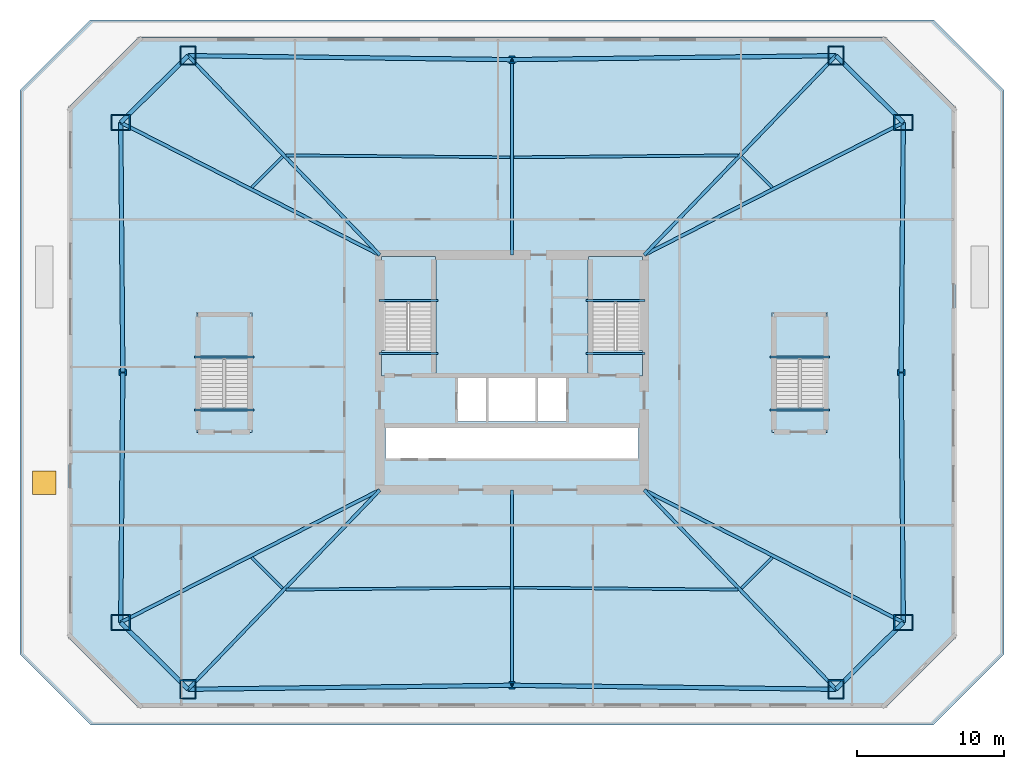
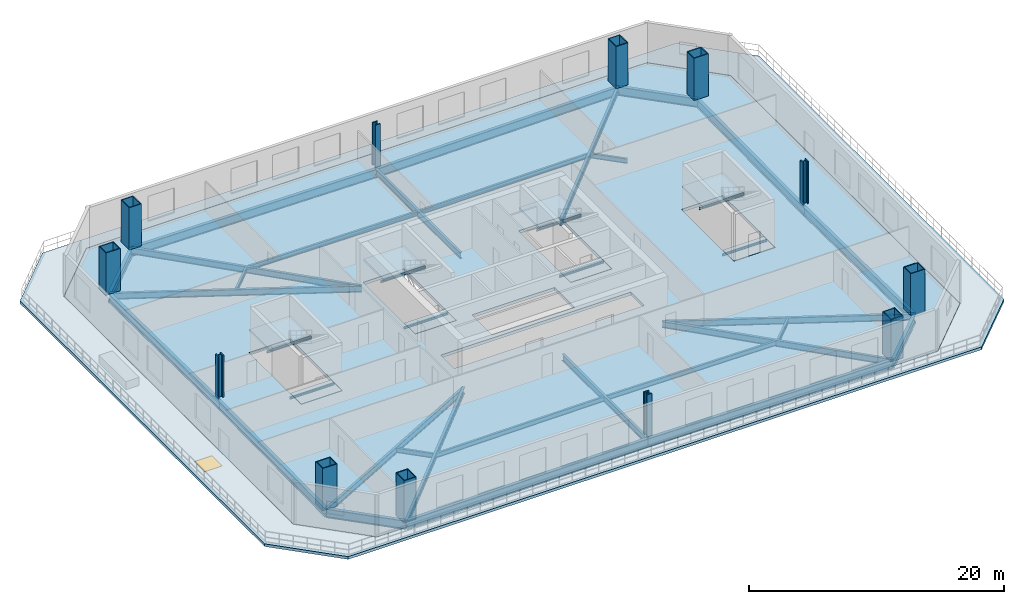
# One storey, part 1 of 8: 38 beams, 12 columns, 10 slabs, 1 window, 1 opening, 4 elements without a shape of their own.
"""IFC4 building model written with IfcOpenShell, lengths in metres."""

import ifcopenshell
import ifcopenshell.guid

model = None  # the IFC model being written
_history = None  # IfcOwnerHistory: only IFC2X3 demands one
_inside = {}  # id of a spatial element -> (the spatial element, [elements in it])
_under = {}  # id of a project, library or spatial element -> (it, [spatial elements below it])
_declared = {}  # id of a project -> (the project, [libraries it declares])
_typed = {}  # id of a type object -> (the type object, [elements of that type])
_made_of = {}  # id of a material, layer set ... -> (it, [elements and type objects made of it])


def new_model(schema):
    """Start an empty IFC model of exactly this schema.

    Asked for "IFC4X3", IfcOpenShell would pick the latest addendum, in which some entities
    have other attributes; the version numbers below select the first issue.
    IFC2X3 requires an IfcOwnerHistory on every rooted entity: one is made here for all.
    """
    global model, _history
    if schema == "IFC4X3":
        model = ifcopenshell.file(schema_version=(4, 3, 0, 0))
    else:
        model = ifcopenshell.file(schema=schema)
    _inside.clear()
    _under.clear()
    _declared.clear()
    _typed.clear()
    _made_of.clear()
    _history = None
    if model.schema == "IFC2X3":
        org = make("IfcOrganization", Name="unknown")
        user = make(
            "IfcPersonAndOrganization",
            ThePerson=make("IfcPerson", FamilyName="unknown"),
            TheOrganization=org,
        )
        app = make(
            "IfcApplication",
            ApplicationDeveloper=org,
            Version="unknown",
            ApplicationFullName="unknown",
            ApplicationIdentifier="unknown",
        )
        _history = make(
            "IfcOwnerHistory",
            OwningUser=user,
            OwningApplication=app,
            ChangeAction="ADDED",
            CreationDate=0,
        )
    return model


def make(cls, **values):
    """One entity of the class cls with the attributes given. An attribute that is None is left unset."""
    return model.create_entity(
        cls, **{name: value for name, value in values.items() if value is not None}
    )


def rooted(cls, **values):
    """An entity with a GlobalId (a new one), such as an element, a storey or a relation."""
    return make(cls, GlobalId=ifcopenshell.guid.new(), OwnerHistory=_history, **values)


def si_unit(unit_type, name, prefix=None):
    """IfcSIUnit, for example si_unit("LENGTHUNIT", "METRE", prefix="MILLI")."""
    return make("IfcSIUnit", UnitType=unit_type, Prefix=prefix, Name=name)


def assignment(units):
    """IfcUnitAssignment: the units of a project."""
    return None if units is None else make("IfcUnitAssignment", Units=units)


def point(xyz):
    """IfcCartesianPoint."""
    return None if xyz is None else make("IfcCartesianPoint", Coordinates=xyz)


def direction(xyz):
    """IfcDirection."""
    return None if xyz is None else make("IfcDirection", DirectionRatios=xyz)


def frame(location, z_axis=None, x_axis=None):
    """IfcAxis2Placement3D, a coordinate frame: its origin and axes. An axis left out is left unset."""
    return make(
        "IfcAxis2Placement3D",
        Location=point(location),
        Axis=direction(z_axis),
        RefDirection=direction(x_axis),
    )


def frame_2d(location, x_axis=None):
    """IfcAxis2Placement2D, a coordinate frame in the plane: its origin and x axis."""
    return make(
        "IfcAxis2Placement2D", Location=point(location), RefDirection=direction(x_axis)
    )


def origin():
    """The frame at (0, 0, 0) with its axes left unset."""
    return frame((0.0, 0.0, 0.0))


def origin_2d():
    """The frame at (0, 0) in the plane with its x axis left unset."""
    return frame_2d((0.0, 0.0))


def place(relative_to, where):
    """IfcLocalPlacement: puts the frame where relative to a parent placement (None: the world)."""
    return make(
        "IfcLocalPlacement", PlacementRelTo=relative_to, RelativePlacement=where
    )


def context(
    kind, dimensions, precision=None, world=None, true_north=None, identifier=None
):
    """IfcGeometricRepresentationContext, for example the 3D "Model" context."""
    return make(
        "IfcGeometricRepresentationContext",
        ContextIdentifier=identifier,
        ContextType=kind,
        CoordinateSpaceDimension=dimensions,
        Precision=precision,
        WorldCoordinateSystem=world,
        TrueNorth=true_north,
    )


def subcontext(parent, identifier, kind, view, scale=None):
    """IfcGeometricRepresentationSubContext, for example "Body" below "Model"."""
    return make(
        "IfcGeometricRepresentationSubContext",
        ContextIdentifier=identifier,
        ContextType=kind,
        ParentContext=parent,
        TargetScale=scale,
        TargetView=view,
    )


def project(units=None, contexts=None):
    """IfcProject with its units and contexts."""
    return rooted(
        "IfcProject",
        Name="project",
        RepresentationContexts=contexts,
        UnitsInContext=assignment(units),
    )


def spatial(cls, under=None, at=None, **own):
    """A site, building, storey or space (cls), placed at a placement, below another one or the project."""
    s = rooted(cls, ObjectPlacement=at, **own)
    if under is not None:
        _under.setdefault(under.id(), (under, []))[1].append(s)
    return s


def polyline(points):
    """IfcPolyline through the points."""
    return make("IfcPolyline", Points=[point(p) for p in points])


def profile(cls, at=None, kind="AREA", **sizes):
    """A parametric profile (cls). Its sizes go by their IFC names, for example OverallWidth=200.0."""
    return make(cls, ProfileType=kind, Position=at, **sizes)


def rectangle(**sizes):
    """IfcRectangleProfileDef."""
    return profile("IfcRectangleProfileDef", **sizes)


def hollow_rectangle(**sizes):
    """IfcRectangleHollowProfileDef."""
    return profile("IfcRectangleHollowProfileDef", **sizes)


def i_section(**sizes):
    """IfcIShapeProfileDef."""
    return profile("IfcIShapeProfileDef", **sizes)


def outline(outer, holes=None, kind="AREA"):
    """IfcArbitraryClosedProfileDef: a profile drawn as a closed curve; with holes, ...WithVoids."""
    if holes is None:
        return make("IfcArbitraryClosedProfileDef", ProfileType=kind, OuterCurve=outer)
    return make(
        "IfcArbitraryProfileDefWithVoids",
        ProfileType=kind,
        OuterCurve=outer,
        InnerCurves=holes,
    )


def extrude(swept, where, along, depth):
    """IfcExtrudedAreaSolid: the profile swept, set in the frame where, extruded along a direction by depth."""
    return make(
        "IfcExtrudedAreaSolid",
        SweptArea=swept,
        Position=where,
        ExtrudedDirection=direction(along),
        Depth=depth,
    )


def shape(context_of_items, identifier, shape_type, items):
    """IfcShapeRepresentation: the items that make up one representation, for example the "Body"."""
    return make(
        "IfcShapeRepresentation",
        ContextOfItems=context_of_items,
        RepresentationIdentifier=identifier,
        RepresentationType=shape_type,
        Items=items,
    )


def material(Name=None, Category=None):
    """IfcMaterial."""
    return make("IfcMaterial", Name=Name, Category=Category)


def layer(
    of_material, thickness, ventilated=None, Name=None, Category=None, Priority=None
):
    """IfcMaterialLayer: one layer of a wall or slab, of a material (None: an air gap)."""
    return make(
        "IfcMaterialLayer",
        Material=of_material,
        LayerThickness=thickness,
        IsVentilated=ventilated,
        Name=Name,
        Category=Category,
        Priority=Priority,
    )


def layer_set(layers, Name=None):
    """IfcMaterialLayerSet."""
    return make("IfcMaterialLayerSet", MaterialLayers=layers, LayerSetName=Name)


def material_profile(
    of_material, cross_section, Name=None, Category=None, Priority=None
):
    """IfcMaterialProfile: a cross section and its material."""
    return make(
        "IfcMaterialProfile",
        Name=Name,
        Material=of_material,
        Profile=cross_section,
        Priority=Priority,
        Category=Category,
    )


def profile_set(profiles, Name=None, composite=None):
    """IfcMaterialProfileSet."""
    return make(
        "IfcMaterialProfileSet",
        Name=Name,
        MaterialProfiles=profiles,
        CompositeProfile=composite,
    )


def made_of(thing, what):
    """Note that an element or type object is made of a material, layer set ...; save() writes the relation."""
    if what is not None:
        _made_of.setdefault(what.id(), (what, []))[1].append(thing)
    return thing


def type_object(cls, material=None, **own):
    """A type object (cls), such as IfcWallType, which elements share."""
    return made_of(rooted(cls, **own), material)


def element(
    cls,
    number,
    at=None,
    inside=None,
    cuts=None,
    type_object=None,
    material=None,
    context=None,
    identifier="Body",
    shape_type=None,
    held_by="IfcProductDefinitionShape",
    body=None,
    shapes=None,
    **own,
):
    """One element of the class cls, such as IfcWall. Its Tag is "e" and its number.

    at: its placement. inside: the storey or other place that contains it. cuts: it is an
    opening in that element (IfcRelVoidsElement). A single representation is given by context,
    identifier, shape_type and body (its items); several are given by shapes. held_by: the class
    of the entity that holds the representations. save() writes the other relations.
    """
    e = rooted(cls, Tag="e%d" % number, ObjectPlacement=at, **own)
    if body is not None:
        shapes = [shape(context, identifier, shape_type, body)]
    if shapes is not None:
        e.Representation = make(held_by, Representations=shapes)
    if inside is not None:
        _inside.setdefault(inside.id(), (inside, []))[1].append(e)
    if cuts is not None:
        rooted(
            "IfcRelVoidsElement", RelatingBuildingElement=cuts, RelatedOpeningElement=e
        )
    if type_object is not None:
        _typed.setdefault(type_object.id(), (type_object, []))[1].append(e)
    return made_of(e, material)


def fill(opening, filler):
    """IfcRelFillsElement: the door or window that sits in an opening."""
    return rooted(
        "IfcRelFillsElement",
        RelatingOpeningElement=opening,
        RelatedBuildingElement=filler,
    )


def aggregate(whole, parts):
    """IfcRelAggregates: a whole, such as a stair, and the parts it consists of."""
    return rooted("IfcRelAggregates", RelatingObject=whole, RelatedObjects=parts)


def save(model, path):
    """Write the relations noted so far, then the file.

    IfcRelAggregates (storeys below a building ...), IfcRelContainedInSpatialStructure (elements
    in a storey), IfcRelDefinesByType, IfcRelAssociatesMaterial and IfcRelDeclares: one each for
    every whole, place, type object, material and project.
    """
    for whole, parts in _under.values():
        aggregate(whole, parts)
    for where, things in _inside.values():
        rooted(
            "IfcRelContainedInSpatialStructure",
            RelatedElements=things,
            RelatingStructure=where,
        )
    for kind, things in _typed.values():
        rooted("IfcRelDefinesByType", RelatedObjects=things, RelatingType=kind)
    for what, things in _made_of.values():
        rooted("IfcRelAssociatesMaterial", RelatedObjects=things, RelatingMaterial=what)
    for by, libraries in _declared.values():
        rooted("IfcRelDeclares", RelatingContext=by, RelatedDefinitions=libraries)
    model.write(path)


model = new_model("IFC4")

# Units and contexts
model_context = context("Model", 3, precision=1e-05, world=origin(), true_north=direction((0.0, 1.0)))
body_context = subcontext(model_context, "Body", "Model", "MODEL_VIEW")
ifc_project = project(units=[si_unit("LENGTHUNIT", "METRE"), si_unit("AREAUNIT", "SQUARE_METRE"), si_unit("VOLUMEUNIT", "CUBIC_METRE"), si_unit("PLANEANGLEUNIT", "RADIAN"), si_unit("MASSUNIT", "GRAM", prefix="KILO")], contexts=[model_context])

# Site, building, storey
site_placement = place(None, origin())
site = spatial("IfcSite", under=ifc_project, at=site_placement, CompositionType="ELEMENT")
building_placement = place(site_placement, origin())
building = spatial("IfcBuilding", under=site, at=building_placement, Name="Caelvoria Tower", CompositionType="ELEMENT")
storey_placement = place(building_placement, frame((0.0, 0.0, 18.5)))
storey = spatial("IfcBuildingStorey", under=building, at=storey_placement, Name="L04", CompositionType="ELEMENT", Elevation=18.5)

# Columns
ifc_material_1 = material(Name="Structural Steel ASTM A913 Gr.65", Category="steel")
ifc_material_profile_1 = material_profile(ifc_material_1, i_section(OverallWidth=0.43896484375, OverallDepth=0.513916015625, WebThickness=0.059814453125, FlangeThickness=0.096923828125, FilletRadius=0.02490234375, at=origin_2d()), Name="Structural Steel ASTM A913 Gr.65")
ifc_profile_set_1 = profile_set([ifc_material_profile_1], Name="W360X818 - Structural Steel ASTM A913 Gr.65")
column_type_1 = type_object("IfcColumnType", Name="Heavy Frame Column W360X818", PredefinedType="COLUMN", material=ifc_profile_set_1)
for number, where, z_axis, x_axis, name in (
    (1, (46.0, 10.699951171875, 0.0), (0.0, 0.0, 1.0), (1.0, 0.0, 0.0), "Perimeter Megaframe Column L04-P01"),
    (2, (72.5, 32.0, 0.0), (0.0, 0.0, 1.0), (0.0, 1.0, 0.0), "Perimeter Megaframe Column L04-P04"),
    (3, (46.0, 53.300048828125, 0.0), (0.0, 0.0, 1.0), (1.0, 0.0, 0.0), "Perimeter Megaframe Column L04-P07"),
    (4, (19.5, 32.0, 0.0), (0.0, 0.0, 1.0), (0.0, 1.0, 0.0), "Perimeter Megaframe Column L04-P10"),
):
    element("IfcColumn", number, at=place(storey_placement, frame(where, z_axis=z_axis, x_axis=x_axis)), inside=storey, type_object=column_type_1, Name=name, PredefinedType="COLUMN", context=body_context, shape_type="SweptSolid", body=[
        extrude(i_section(OverallWidth=0.43896484375, OverallDepth=0.513916015625, WebThickness=0.059814453125, FlangeThickness=0.096923828125, FilletRadius=0.02490234375, at=origin_2d()), origin(), (0.0, 0.0, 1.0), 4.048095703125),
    ])
ifc_material_2 = material(Name="Structural Steel ASTM A572 Gr.50", Category="steel")
ifc_material_profile_2 = material_profile(ifc_material_2, hollow_rectangle(XDim=1.10009765625, YDim=1.300048828125, WallThickness=0.070068359375, at=origin_2d()), Name="Structural Steel ASTM A572 Gr.50")
ifc_profile_set_2 = profile_set([ifc_material_profile_2], Name="BOX1300X1100X70 - Structural Steel ASTM A572 Gr.50")
column_type_2 = type_object("IfcColumnType", Name="Mega Box Column 1300x1100x70", PredefinedType="COLUMN", material=ifc_profile_set_2)
for number, where, z_axis, x_axis, name in (
    (5, (23.943359375, 10.42919921875, 0.0), (0.0, 0.0, 1.0), (1.0, 0.0, 0.0), "Perimeter Megaframe Column L04-P00"),
    (6, (68.056640625, 10.42919921875, 0.0), (0.0, 0.0, 1.0), (1.0, 0.0, 0.0), "Perimeter Megaframe Column L04-P02"),
    (7, (72.6416015625, 14.984375, 0.0), (0.0, 0.0, 1.0), (0.0, 1.0, 0.0), "Perimeter Megaframe Column L04-P03"),
    (8, (72.6416015625, 49.015625, 0.0), (0.0, 0.0, 1.0), (0.0, 1.0, 0.0), "Perimeter Megaframe Column L04-P05"),
    (9, (68.056640625, 53.57080078125, 0.0), (0.0, 0.0, 1.0), (1.0, 0.0, 0.0), "Perimeter Megaframe Column L04-P06"),
    (10, (23.943359375, 53.57080078125, 0.0), (0.0, 0.0, 1.0), (1.0, 0.0, 0.0), "Perimeter Megaframe Column L04-P08"),
    (11, (19.3583984375, 49.015625, 0.0), (0.0, 0.0, 1.0), (0.0, 1.0, 0.0), "Perimeter Megaframe Column L04-P09"),
    (12, (19.3583984375, 14.984375, 0.0), (0.0, 0.0, 1.0), (0.0, 1.0, 0.0), "Perimeter Megaframe Column L04-P11"),
):
    element("IfcColumn", number, at=place(storey_placement, frame(where, z_axis=z_axis, x_axis=x_axis)), inside=storey, type_object=column_type_2, Name=name, PredefinedType="COLUMN", context=body_context, shape_type="SweptSolid", body=[
        extrude(hollow_rectangle(XDim=1.10009765625, YDim=1.300048828125, WallThickness=0.070068359375, at=origin_2d()), origin(), (0.0, 0.0, 1.0), 4.048095703125),
    ])

# Beams
ifc_material_3 = material(Name="Structural Steel ASTM A992 Gr.50", Category="steel")
ifc_material_profile_3 = material_profile(ifc_material_3, i_section(OverallWidth=0.134033203125, OverallDepth=0.2099609375, WebThickness=0.00634765625, FlangeThickness=0.01025390625, FilletRadius=0.010009765625, at=origin_2d()), Name="Structural Steel ASTM A992 Gr.50")
ifc_profile_set_3 = profile_set([ifc_material_profile_3], Name="W200X31.3 - Structural Steel ASTM A992 Gr.50")
beam_type_1 = type_object("IfcBeamType", Name="Canopy Edge Trim Beam W200X31.3", PredefinedType="BEAM", material=ifc_profile_set_3)
for number, where, z_axis, x_axis, name in (
    (13, (36.929931640625, 36.89990234375, 1.945068359375), (1.0, 0.0, 0.0), (0.0, 1.0, 0.0), "ST-01 Half-Landing Support Beam L04"),
    (14, (36.929931640625, 33.300048828125, -0.304931640625), (1.0, 0.0, 0.0), (0.0, 1.0, 0.0), "ST-01 Floor-Landing Support Beam L04"),
    (15, (51.030029296875, 36.89990234375, 1.945068359375), (1.0, 0.0, 0.0), (0.0, 1.0, 0.0), "ST-02 Half-Landing Support Beam L04"),
    (16, (51.030029296875, 33.300048828125, -0.304931640625), (1.0, 0.0, 0.0), (0.0, 1.0, 0.0), "ST-02 Floor-Landing Support Beam L04"),
    (17, (24.3798828125, 33.050048828125, 1.945068359375), (1.0, 0.0, 0.0), (0.0, 1.0, 0.0), "ST-03 Half-Landing Support Beam L04"),
    (18, (24.3798828125, 29.449951171875, -0.304931640625), (1.0, 0.0, 0.0), (0.0, 1.0, 0.0), "ST-03 Floor-Landing Support Beam L04"),
    (19, (63.580078125, 33.050048828125, 1.945068359375), (1.0, 0.0, 0.0), (0.0, 1.0, 0.0), "ST-04 Half-Landing Support Beam L04"),
    (20, (63.580078125, 29.449951171875, -0.304931640625), (1.0, 0.0, 0.0), (0.0, 1.0, 0.0), "ST-04 Floor-Landing Support Beam L04"),
):
    element("IfcBeam", number, at=place(storey_placement, frame(where, z_axis=z_axis, x_axis=x_axis)), inside=storey, type_object=beam_type_1, Name=name, PredefinedType="BEAM", context=body_context, shape_type="SweptSolid", body=[
        extrude(i_section(OverallWidth=0.134033203125, OverallDepth=0.2099609375, WebThickness=0.00634765625, FlangeThickness=0.01025390625, FilletRadius=0.010009765625, at=origin_2d()), origin(), (0.0, 0.0, 1.0), 4.0400390625),
    ])
ifc_material_profile_4 = material_profile(ifc_material_3, i_section(OverallWidth=0.2939453125, OverallDepth=0.85107421875, WebThickness=0.01611328125, FlangeThickness=0.02685546875, FilletRadius=0.02197265625, at=origin_2d()), Name="Structural Steel ASTM A992 Gr.50")
ifc_profile_set_4 = profile_set([ifc_material_profile_4], Name="W840X226 - Structural Steel ASTM A992 Gr.50")
beam_type_2 = type_object("IfcBeamType", Name="Podium Long-Span Girder W840X226", PredefinedType="BEAM", material=ifc_profile_set_4)
for number, where, z_axis, x_axis, name in (
    (21, (23.943359375, 10.42919921875, -0.715576171875), (0.999924666978, 0.01227437855, 0.0), (-0.01227437855, 0.999924666978, 0.0), "Perimeter Spandrel Girder L04-00"),
    (22, (46.0, 10.699951171875, -0.715576171875), (0.999924666978, -0.01227437855, 0.0), (0.01227437855, 0.999924666978, 0.0), "Perimeter Spandrel Girder L04-01"),
):
    element("IfcBeam", number, at=place(storey_placement, frame(where, z_axis=z_axis, x_axis=x_axis)), inside=storey, type_object=beam_type_2, Name=name, PredefinedType="BEAM", context=body_context, shape_type="SweptSolid", body=[
        extrude(i_section(OverallWidth=0.2939453125, OverallDepth=0.85107421875, WebThickness=0.01611328125, FlangeThickness=0.02685546875, FilletRadius=0.02197265625, at=origin_2d()), origin(), (0.0, 0.0, 1.0), 22.058349609375),
    ])
beam_1_placement = place(storey_placement, frame((68.056640625, 10.42919921875, -0.715576171875), z_axis=(0.709407278283, 0.704798775197, 0.0), x_axis=(-0.704798775197, 0.709407278283, 0.0)))
element("IfcBeam", 23, at=beam_1_placement, inside=storey, type_object=beam_type_2, Name="Perimeter Spandrel Girder L04-02", PredefinedType="BEAM", context=body_context, shape_type="SweptSolid", body=[
    extrude(i_section(OverallWidth=0.2939453125, OverallDepth=0.85107421875, WebThickness=0.01611328125, FlangeThickness=0.02685546875, FilletRadius=0.02197265625, at=origin_2d()), origin(), (0.0, 0.0, 1.0), 6.463134765625),
])
for number, where, z_axis, x_axis, name in (
    (24, (72.6416015625, 14.984375, -0.715576171875), (-0.00832156677, 0.999965375164, 0.0), (-0.999965375164, -0.00832156677, 0.0), "Perimeter Spandrel Girder L04-03"),
    (25, (72.5, 32.0, -0.715576171875), (0.00832156677, 0.999965375164, 0.0), (-0.999965375164, 0.00832156677, 0.0), "Perimeter Spandrel Girder L04-04"),
):
    element("IfcBeam", number, at=place(storey_placement, frame(where, z_axis=z_axis, x_axis=x_axis)), inside=storey, type_object=beam_type_2, Name=name, PredefinedType="BEAM", context=body_context, shape_type="SweptSolid", body=[
        extrude(i_section(OverallWidth=0.2939453125, OverallDepth=0.85107421875, WebThickness=0.01611328125, FlangeThickness=0.02685546875, FilletRadius=0.02197265625, at=origin_2d()), origin(), (0.0, 0.0, 1.0), 17.01611328125),
    ])
beam_2_placement = place(storey_placement, frame((72.6416015625, 49.015625, -0.715576171875), z_axis=(-0.709407278283, 0.704798775197, 0.0), x_axis=(-0.704798775197, -0.709407278283, 0.0)))
element("IfcBeam", 26, at=beam_2_placement, inside=storey, type_object=beam_type_2, Name="Perimeter Spandrel Girder L04-05", PredefinedType="BEAM", context=body_context, shape_type="SweptSolid", body=[
    extrude(i_section(OverallWidth=0.2939453125, OverallDepth=0.85107421875, WebThickness=0.01611328125, FlangeThickness=0.02685546875, FilletRadius=0.02197265625, at=origin_2d()), origin(), (0.0, 0.0, 1.0), 6.463134765625),
])
for number, where, z_axis, x_axis, name in (
    (27, (68.056640625, 53.57080078125, -0.715576171875), (-0.999924666978, -0.01227437855, 0.0), (0.01227437855, -0.999924666978, 0.0), "Perimeter Spandrel Girder L04-06"),
    (28, (46.0, 53.300048828125, -0.715576171875), (-0.999924666978, 0.01227437855, 0.0), (-0.01227437855, -0.999924666978, 0.0), "Perimeter Spandrel Girder L04-07"),
):
    element("IfcBeam", number, at=place(storey_placement, frame(where, z_axis=z_axis, x_axis=x_axis)), inside=storey, type_object=beam_type_2, Name=name, PredefinedType="BEAM", context=body_context, shape_type="SweptSolid", body=[
        extrude(i_section(OverallWidth=0.2939453125, OverallDepth=0.85107421875, WebThickness=0.01611328125, FlangeThickness=0.02685546875, FilletRadius=0.02197265625, at=origin_2d()), origin(), (0.0, 0.0, 1.0), 22.058349609375),
    ])
beam_3_placement = place(storey_placement, frame((23.943359375, 53.57080078125, -0.715576171875), z_axis=(-0.709407278283, -0.704798775197, 0.0), x_axis=(0.704798775197, -0.709407278283, 0.0)))
element("IfcBeam", 29, at=beam_3_placement, inside=storey, type_object=beam_type_2, Name="Perimeter Spandrel Girder L04-08", PredefinedType="BEAM", context=body_context, shape_type="SweptSolid", body=[
    extrude(i_section(OverallWidth=0.2939453125, OverallDepth=0.85107421875, WebThickness=0.01611328125, FlangeThickness=0.02685546875, FilletRadius=0.02197265625, at=origin_2d()), origin(), (0.0, 0.0, 1.0), 6.463134765625),
])
for number, where, z_axis, x_axis, name in (
    (30, (19.3583984375, 49.015625, -0.715576171875), (0.00832156677, -0.999965375164, 0.0), (0.999965375164, 0.00832156677, 0.0), "Perimeter Spandrel Girder L04-09"),
    (31, (19.5, 32.0, -0.715576171875), (-0.00832156677, -0.999965375164, 0.0), (0.999965375164, -0.00832156677, 0.0), "Perimeter Spandrel Girder L04-10"),
):
    element("IfcBeam", number, at=place(storey_placement, frame(where, z_axis=z_axis, x_axis=x_axis)), inside=storey, type_object=beam_type_2, Name=name, PredefinedType="BEAM", context=body_context, shape_type="SweptSolid", body=[
        extrude(i_section(OverallWidth=0.2939453125, OverallDepth=0.85107421875, WebThickness=0.01611328125, FlangeThickness=0.02685546875, FilletRadius=0.02197265625, at=origin_2d()), origin(), (0.0, 0.0, 1.0), 17.01611328125),
    ])
beam_4_placement = place(storey_placement, frame((19.3583984375, 14.984375, -0.715576171875), z_axis=(0.709407278283, -0.704798775197, 0.0), x_axis=(0.704798775197, 0.709407278283, 0.0)))
element("IfcBeam", 32, at=beam_4_placement, inside=storey, type_object=beam_type_2, Name="Perimeter Spandrel Girder L04-11", PredefinedType="BEAM", context=body_context, shape_type="SweptSolid", body=[
    extrude(i_section(OverallWidth=0.2939453125, OverallDepth=0.85107421875, WebThickness=0.01611328125, FlangeThickness=0.02685546875, FilletRadius=0.02197265625, at=origin_2d()), origin(), (0.0, 0.0, 1.0), 6.463134765625),
])
ifc_material_profile_5 = material_profile(ifc_material_3, i_section(OverallWidth=0.22900390625, OverallDepth=0.612060546875, WebThickness=0.011962890625, FlangeThickness=0.01953125, FilletRadius=0.01806640625, at=origin_2d()), Name="Structural Steel ASTM A992 Gr.50")
ifc_profile_set_5 = profile_set([ifc_material_profile_5], Name="W610X125 - Structural Steel ASTM A992 Gr.50")
beam_type_3 = type_object("IfcBeamType", Name="Primary Radial Floor Girder W610X125", PredefinedType="BEAM", material=ifc_profile_set_5)
beam_5_placement = place(storey_placement, frame((37.0, 24.0, -0.595947265625), z_axis=(-0.69332372519, -0.720626263807, 0.0), x_axis=(0.720626263807, -0.69332372519, 0.0)))
element("IfcBeam", 33, at=beam_5_placement, inside=storey, type_object=beam_type_3, Name="Primary Floor Girder L04-00", PredefinedType="BEAM", context=body_context, shape_type="SweptSolid", body=[
    extrude(i_section(OverallWidth=0.22900390625, OverallDepth=0.612060546875, WebThickness=0.011962890625, FlangeThickness=0.01953125, FilletRadius=0.01806640625, at=origin_2d()), origin(), (0.0, 0.0, 1.0), 18.83203125),
])
beam_6_placement = place(storey_placement, frame((46.0, 24.0, -0.595947265625), z_axis=(0.0, -1.0, 0.0), x_axis=(1.0, 0.0, 0.0)))
element("IfcBeam", 34, at=beam_6_placement, inside=storey, type_object=beam_type_3, Name="Primary Floor Girder L04-01", PredefinedType="BEAM", context=body_context, shape_type="SweptSolid", body=[
    extrude(i_section(OverallWidth=0.22900390625, OverallDepth=0.612060546875, WebThickness=0.011962890625, FlangeThickness=0.01953125, FilletRadius=0.01806640625, at=origin_2d()), origin(), (0.0, 0.0, 1.0), 13.300048828125),
])
beam_7_placement = place(storey_placement, frame((55.0, 24.0, -0.595947265625), z_axis=(0.69332372519, -0.720626263807, 0.0), x_axis=(0.720626263807, 0.69332372519, 0.0)))
element("IfcBeam", 35, at=beam_7_placement, inside=storey, type_object=beam_type_3, Name="Primary Floor Girder L04-02", PredefinedType="BEAM", context=body_context, shape_type="SweptSolid", body=[
    extrude(i_section(OverallWidth=0.22900390625, OverallDepth=0.612060546875, WebThickness=0.011962890625, FlangeThickness=0.01953125, FilletRadius=0.01806640625, at=origin_2d()), origin(), (0.0, 0.0, 1.0), 18.83203125),
])
for number, where, z_axis, x_axis, name in (
    (36, (55.0, 24.0, -0.595947265625), (0.890459095292, -0.455063291876, 0.0), (0.455063291876, 0.890459095292, 0.0), "Primary Floor Girder L04-03"),
    (37, (55.0, 40.0, -0.595947265625), (0.890459095292, 0.455063291876, 0.0), (-0.455063291876, 0.890459095292, 0.0), "Primary Floor Girder L04-05"),
):
    element("IfcBeam", number, at=place(storey_placement, frame(where, z_axis=z_axis, x_axis=x_axis)), inside=storey, type_object=beam_type_3, Name=name, PredefinedType="BEAM", context=body_context, shape_type="SweptSolid", body=[
        extrude(i_section(OverallWidth=0.22900390625, OverallDepth=0.612060546875, WebThickness=0.011962890625, FlangeThickness=0.01953125, FilletRadius=0.01806640625, at=origin_2d()), origin(), (0.0, 0.0, 1.0), 19.811767578125),
    ])
beam_8_placement = place(storey_placement, frame((55.0, 40.0, -0.595947265625), z_axis=(0.69332372519, 0.720626263807, 0.0), x_axis=(-0.720626263807, 0.69332372519, 0.0)))
element("IfcBeam", 38, at=beam_8_placement, inside=storey, type_object=beam_type_3, Name="Primary Floor Girder L04-06", PredefinedType="BEAM", context=body_context, shape_type="SweptSolid", body=[
    extrude(i_section(OverallWidth=0.22900390625, OverallDepth=0.612060546875, WebThickness=0.011962890625, FlangeThickness=0.01953125, FilletRadius=0.01806640625, at=origin_2d()), origin(), (0.0, 0.0, 1.0), 18.83203125),
])
beam_9_placement = place(storey_placement, frame((46.0, 40.0, -0.595947265625), z_axis=(0.0, 1.0, 0.0), x_axis=(-1.0, 0.0, 0.0)))
element("IfcBeam", 39, at=beam_9_placement, inside=storey, type_object=beam_type_3, Name="Primary Floor Girder L04-07", PredefinedType="BEAM", context=body_context, shape_type="SweptSolid", body=[
    extrude(i_section(OverallWidth=0.22900390625, OverallDepth=0.612060546875, WebThickness=0.011962890625, FlangeThickness=0.01953125, FilletRadius=0.01806640625, at=origin_2d()), origin(), (0.0, 0.0, 1.0), 13.300048828125),
])
beam_10_placement = place(storey_placement, frame((37.0, 40.0, -0.595947265625), z_axis=(-0.69332372519, 0.720626263807, 0.0), x_axis=(-0.720626263807, -0.69332372519, 0.0)))
element("IfcBeam", 40, at=beam_10_placement, inside=storey, type_object=beam_type_3, Name="Primary Floor Girder L04-08", PredefinedType="BEAM", context=body_context, shape_type="SweptSolid", body=[
    extrude(i_section(OverallWidth=0.22900390625, OverallDepth=0.612060546875, WebThickness=0.011962890625, FlangeThickness=0.01953125, FilletRadius=0.01806640625, at=origin_2d()), origin(), (0.0, 0.0, 1.0), 18.83203125),
])
for number, where, z_axis, x_axis, name in (
    (41, (37.0, 40.0, -0.595947265625), (-0.890459095292, 0.455063291876, 0.0), (-0.455063291876, -0.890459095292, 0.0), "Primary Floor Girder L04-09"),
    (42, (37.0, 24.0, -0.595947265625), (-0.890459095292, -0.455063291876, 0.0), (0.455063291876, -0.890459095292, 0.0), "Primary Floor Girder L04-11"),
):
    element("IfcBeam", number, at=place(storey_placement, frame(where, z_axis=z_axis, x_axis=x_axis)), inside=storey, type_object=beam_type_3, Name=name, PredefinedType="BEAM", context=body_context, shape_type="SweptSolid", body=[
        extrude(i_section(OverallWidth=0.22900390625, OverallDepth=0.612060546875, WebThickness=0.011962890625, FlangeThickness=0.01953125, FilletRadius=0.01806640625, at=origin_2d()), origin(), (0.0, 0.0, 1.0), 19.811767578125),
    ])
ifc_material_profile_6 = material_profile(ifc_material_3, i_section(OverallWidth=0.18994140625, OverallDepth=0.45703125, WebThickness=0.009033203125, FlangeThickness=0.014404296875, FilletRadius=0.014892578125, at=origin_2d()), Name="Structural Steel ASTM A992 Gr.50")
ifc_profile_set_6 = profile_set([ifc_material_profile_6], Name="W460X74 - Structural Steel ASTM A992 Gr.50")
beam_type_4 = type_object("IfcBeamType", Name="Secondary Floor Beam W460X74", PredefinedType="BEAM", material=ifc_profile_set_6)
for number, where, z_axis, x_axis, name in (
    (43, (30.5966796875, 17.2158203125, -0.5185546875), (0.9999620801, 0.00870852243, 0.0), (-0.00870852243, 0.9999620801, 0.0), "Secondary Floor Beam L04-00"),
    (44, (46.125, 17.348876953125, -0.5185546875), (0.9999620801, -0.00870852243, 0.0), (0.00870852243, 0.9999620801, 0.0), "Secondary Floor Beam L04-01"),
):
    element("IfcBeam", number, at=place(storey_placement, frame(where, z_axis=z_axis, x_axis=x_axis)), inside=storey, type_object=beam_type_4, Name=name, PredefinedType="BEAM", context=body_context, shape_type="SweptSolid", body=[
        extrude(i_section(OverallWidth=0.18994140625, OverallDepth=0.45703125, WebThickness=0.009033203125, FlangeThickness=0.014404296875, FilletRadius=0.014892578125, at=origin_2d()), origin(), (0.0, 0.0, 1.0), 15.27880859375),
    ])
for number, where, z_axis, x_axis, name in (
    (45, (61.616943359375, 17.302734375, -0.5185546875), (0.709395928351, 0.704810199159, 0.0), (-0.704810199159, 0.709395928351, 0.0), "Secondary Floor Beam L04-02"),
    (46, (63.73193359375, 44.595947265625, -0.5185546875), (-0.709395928351, 0.704810199159, 0.0), (-0.704810199159, -0.709395928351, 0.0), "Secondary Floor Beam L04-05"),
):
    element("IfcBeam", number, at=place(storey_placement, frame(where, z_axis=z_axis, x_axis=x_axis)), inside=storey, type_object=beam_type_4, Name=name, PredefinedType="BEAM", context=body_context, shape_type="SweptSolid", body=[
        extrude(i_section(OverallWidth=0.18994140625, OverallDepth=0.45703125, WebThickness=0.009033203125, FlangeThickness=0.014404296875, FilletRadius=0.014892578125, at=origin_2d()), origin(), (0.0, 0.0, 1.0), 2.9814453125),
    ])
for number, where, z_axis, x_axis, name in (
    (47, (61.4033203125, 46.7841796875, -0.5185546875), (-0.9999620801, -0.00870852243, 0.0), (0.00870852243, -0.9999620801, 0.0), "Secondary Floor Beam L04-06"),
    (48, (45.875, 46.651123046875, -0.5185546875), (-0.9999620801, 0.00870852243, 0.0), (-0.00870852243, -0.9999620801, 0.0), "Secondary Floor Beam L04-07"),
):
    element("IfcBeam", number, at=place(storey_placement, frame(where, z_axis=z_axis, x_axis=x_axis)), inside=storey, type_object=beam_type_4, Name=name, PredefinedType="BEAM", context=body_context, shape_type="SweptSolid", body=[
        extrude(i_section(OverallWidth=0.18994140625, OverallDepth=0.45703125, WebThickness=0.009033203125, FlangeThickness=0.014404296875, FilletRadius=0.014892578125, at=origin_2d()), origin(), (0.0, 0.0, 1.0), 15.27880859375),
    ])
for number, where, z_axis, x_axis, name in (
    (49, (30.383056640625, 46.697265625, -0.5185546875), (-0.709436603289, -0.704769257214, 0.0), (0.704769257214, -0.709436603289, 0.0), "Secondary Floor Beam L04-08"),
    (50, (28.267822265625, 19.404052734375, -0.5185546875), (0.709436603289, -0.704769257214, 0.0), (0.704769257214, 0.709436603289, 0.0), "Secondary Floor Beam L04-11"),
):
    element("IfcBeam", number, at=place(storey_placement, frame(where, z_axis=z_axis, x_axis=x_axis)), inside=storey, type_object=beam_type_4, Name=name, PredefinedType="BEAM", context=body_context, shape_type="SweptSolid", body=[
        extrude(i_section(OverallWidth=0.18994140625, OverallDepth=0.45703125, WebThickness=0.009033203125, FlangeThickness=0.014404296875, FilletRadius=0.014892578125, at=origin_2d()), origin(), (0.0, 0.0, 1.0), 2.981689453125),
    ])

# Stair, slabs
ifc_material_4 = material(Name="Concrete C40/50", Category="concrete")
stair_type = type_object("IfcStairType", Name="Core Smokeproof Dogleg Stair Concrete C40/50", PredefinedType="HALF_TURN_STAIR", material=ifc_material_4)
stair_1_placement = place(storey_placement, origin())
stair_1 = element("IfcStair", 51, at=stair_1_placement, inside=storey, type_object=stair_type, Name="ST-01 Smokeproof Exit Stair L04", PredefinedType="HALF_TURN_STAIR")
ifc_layer_1 = layer(ifc_material_4, 0.199951171875, Name="Concrete C40/50")
ifc_layer_set_1 = layer_set([ifc_layer_1], Name="Stair Half and Floor Landing Slab 200 Concrete C40/50 - Concrete C40/50")
slab_type_1 = type_object("IfcSlabType", Name="Stair Half and Floor Landing Slab 200 Concrete C40/50", PredefinedType="LANDING", material=ifc_layer_set_1)
slab_1_placement = place(storey_placement, frame((0.0, 0.0, -0.199951171875)))
slab_1 = element("IfcSlab", 52, at=slab_1_placement, type_object=slab_type_1, Name="ST-01 landing 1", PredefinedType="LANDING", context=body_context, shape_type="SweptSolid", body=[
    extrude(outline(polyline([(37.10009765625, 31.77001953125), (40.800048828125, 31.77001953125), (40.800048828125, 33.5), (37.10009765625, 33.5), (37.10009765625, 31.77001953125)])), origin(), (0.0, 0.0, 1.0), 0.199951171875),
])
slab_2_placement = place(storey_placement, frame((0.0, 0.0, 2.050048828125)))
slab_2 = element("IfcSlab", 53, at=slab_2_placement, type_object=slab_type_1, Name="ST-01 landing 2", PredefinedType="LANDING", context=body_context, shape_type="SweptSolid", body=[
    extrude(outline(polyline([(37.10009765625, 36.699951171875), (40.800048828125, 36.699951171875), (40.800048828125, 39.89990234375), (37.10009765625, 39.89990234375), (37.10009765625, 36.699951171875)])), origin(), (0.0, 0.0, 1.0), 0.199951171875),
])
aggregate(stair_1, [slab_1, slab_2])

stair_2_placement = place(storey_placement, origin())
stair_2 = element("IfcStair", 54, at=stair_2_placement, inside=storey, type_object=stair_type, Name="ST-02 Smokeproof Exit Stair L04", PredefinedType="HALF_TURN_STAIR")
slab_3_placement = place(storey_placement, frame((0.0, 0.0, -0.199951171875)))
slab_3 = element("IfcSlab", 55, at=slab_3_placement, type_object=slab_type_1, Name="ST-02 landing 1", PredefinedType="LANDING", context=body_context, shape_type="SweptSolid", body=[
    extrude(outline(polyline([(51.199951171875, 31.77001953125), (54.89990234375, 31.77001953125), (54.89990234375, 33.5), (51.199951171875, 33.5), (51.199951171875, 31.77001953125)])), origin(), (0.0, 0.0, 1.0), 0.199951171875),
])
slab_4_placement = place(storey_placement, frame((0.0, 0.0, 2.050048828125)))
slab_4 = element("IfcSlab", 56, at=slab_4_placement, type_object=slab_type_1, Name="ST-02 landing 2", PredefinedType="LANDING", context=body_context, shape_type="SweptSolid", body=[
    extrude(outline(polyline([(51.199951171875, 36.699951171875), (54.89990234375, 36.699951171875), (54.89990234375, 39.89990234375), (51.199951171875, 39.89990234375), (51.199951171875, 36.699951171875)])), origin(), (0.0, 0.0, 1.0), 0.199951171875),
])
aggregate(stair_2, [slab_3, slab_4])

stair_3_placement = place(storey_placement, origin())
stair_3 = element("IfcStair", 57, at=stair_3_placement, inside=storey, type_object=stair_type, Name="ST-03 Smokeproof Exit Stair L04", PredefinedType="HALF_TURN_STAIR")
slab_5_placement = place(storey_placement, frame((0.0, 0.0, -0.199951171875)))
slab_5 = element("IfcSlab", 58, at=slab_5_placement, type_object=slab_type_1, Name="ST-03 landing 1", PredefinedType="LANDING", context=body_context, shape_type="SweptSolid", body=[
    extrude(outline(polyline([(24.550048828125, 27.919921875), (28.25, 27.919921875), (28.25, 29.64990234375), (24.550048828125, 29.64990234375), (24.550048828125, 27.919921875)])), origin(), (0.0, 0.0, 1.0), 0.199951171875),
])
slab_6_placement = place(storey_placement, frame((0.0, 0.0, 2.050048828125)))
slab_6 = element("IfcSlab", 59, at=slab_6_placement, type_object=slab_type_1, Name="ST-03 landing 2", PredefinedType="LANDING", context=body_context, shape_type="SweptSolid", body=[
    extrude(outline(polyline([(24.550048828125, 32.85009765625), (28.25, 32.85009765625), (28.25, 36.050048828125), (24.550048828125, 36.050048828125), (24.550048828125, 32.85009765625)])), origin(), (0.0, 0.0, 1.0), 0.199951171875),
])
aggregate(stair_3, [slab_5, slab_6])

stair_4_placement = place(storey_placement, origin())
stair_4 = element("IfcStair", 60, at=stair_4_placement, inside=storey, type_object=stair_type, Name="ST-04 Smokeproof Exit Stair L04", PredefinedType="HALF_TURN_STAIR")
slab_7_placement = place(storey_placement, frame((0.0, 0.0, -0.199951171875)))
slab_7 = element("IfcSlab", 61, at=slab_7_placement, type_object=slab_type_1, Name="ST-04 landing 1", PredefinedType="LANDING", context=body_context, shape_type="SweptSolid", body=[
    extrude(outline(polyline([(63.75, 27.919921875), (67.449951171875, 27.919921875), (67.449951171875, 29.64990234375), (63.75, 29.64990234375), (63.75, 27.919921875)])), origin(), (0.0, 0.0, 1.0), 0.199951171875),
])
slab_8_placement = place(storey_placement, frame((0.0, 0.0, 2.050048828125)))
slab_8 = element("IfcSlab", 62, at=slab_8_placement, type_object=slab_type_1, Name="ST-04 landing 2", PredefinedType="LANDING", context=body_context, shape_type="SweptSolid", body=[
    extrude(outline(polyline([(63.75, 32.85009765625), (67.449951171875, 32.85009765625), (67.449951171875, 36.050048828125), (63.75, 36.050048828125), (63.75, 32.85009765625)])), origin(), (0.0, 0.0, 1.0), 0.199951171875),
])
aggregate(stair_4, [slab_7, slab_8])

# Slab, opening, window
ifc_layer_2 = layer(ifc_material_4, 0.260009765625, Name="Concrete C40/50")
ifc_layer_set_2 = layer_set([ifc_layer_2], Name="Terraced Podium Roof Garden Slab 260 - Concrete C40/50")
slab_type_2 = type_object("IfcSlabType", Name="Terraced Podium Roof Garden Slab 260", PredefinedType="ROOF", material=ifc_layer_set_2)
slab_9_placement = place(storey_placement, frame((0.0, 0.0, -0.260009765625)))
slab_9 = element("IfcSlab", 63, at=slab_9_placement, inside=storey, type_object=slab_type_2, Name="Level L04 Terraced Podium Roof Deck", PredefinedType="ROOF", context=body_context, shape_type="SweptSolid", body=[
    extrude(outline(polyline([(17.300048828125, 8.0), (74.699951171875, 8.0), (79.5, 12.800048828125), (79.5, 51.199951171875), (74.699951171875, 56.0), (17.300048828125, 56.0), (12.5, 51.199951171875), (12.5, 12.800048828125), (17.300048828125, 8.0)]), holes=[polyline([(20.585205078125, 9.1865234375), (71.414794921875, 9.1865234375), (76.21728515625, 13.98974609375), (76.21728515625, 50.01025390625), (71.414794921875, 54.8134765625), (20.585205078125, 54.8134765625), (15.78271484375, 50.01025390625), (15.78271484375, 13.98974609375), (20.585205078125, 9.1865234375)])]), origin(), (0.0, 0.0, 1.0), 0.260009765625),
])
opening_placement = place(slab_9_placement, frame((14.14990234375, 24.5, 0.0)))
opening = element("IfcOpeningElement", 64, at=opening_placement, cuts=slab_9, Name="Opening SK-01", PredefinedType="OPENING", context=body_context, shape_type="SweptSolid", body=[
    extrude(rectangle(XDim=1.60009765625, YDim=1.60009765625, at=origin_2d()), origin(), (0.0, 0.0, 1.0), 0.260009765625),
])
ifc_material_5 = material(Name="Low-E Tinted Glass in Bronze Aluminium Frame", Category="aluminium")
window_type = type_object("IfcWindowType", Name="Podium Terrace Daylight Skylight 1800x1800", PartitioningType="SINGLE_PANEL", PredefinedType="SKYLIGHT", material=ifc_material_5)
window_placement = place(opening_placement, frame((0.0, 0.0, 0.2099609375)))
window = element("IfcWindow", 65, at=window_placement, inside=storey, type_object=window_type, Name="Podium Terrace Skylight L04", OverallHeight=1.60009765625, OverallWidth=1.60009765625, PartitioningType="SINGLE_PANEL", PredefinedType="SKYLIGHT", context=body_context, shape_type="SweptSolid", body=[
    extrude(rectangle(XDim=1.60009765625, YDim=1.60009765625, at=origin_2d()), origin(), (0.0, 0.0, 1.0), 0.050048828125),
])
fill(opening, window)

# Slab
ifc_layer_3 = layer(ifc_material_4, 0.2900390625, Name="Concrete C40/50")
ifc_layer_set_3 = layer_set([ifc_layer_3], Name="Upper Podium Conference Slab 290 - Concrete C40/50")
slab_type_3 = type_object("IfcSlabType", Name="Upper Podium Conference Slab 290", PredefinedType="FLOOR", material=ifc_layer_set_3)
slab_10_placement = place(storey_placement, frame((0.0, 0.0, -0.2900390625)))
element("IfcSlab", 66, at=slab_10_placement, inside=storey, type_object=slab_type_3, Name="Level L04 Structural Floor Slab", PredefinedType="FLOOR", context=body_context, shape_type="SweptSolid", body=[
    extrude(outline(polyline([(20.60009765625, 9.199951171875), (71.39990234375, 9.199951171875), (76.199951171875, 14.0), (76.199951171875, 50.0), (71.39990234375, 54.800048828125), (20.60009765625, 54.800048828125), (15.800048828125, 50.0), (15.800048828125, 14.0), (20.60009765625, 9.199951171875)]), holes=[polyline([(37.080078125, 31.75), (40.820068359375, 31.75), (40.820068359375, 39.919921875), (37.080078125, 39.919921875), (37.080078125, 31.75)]), polyline([(51.179931640625, 31.75), (54.919921875, 31.75), (54.919921875, 39.919921875), (51.179931640625, 39.919921875), (51.179931640625, 31.75)]), polyline([(42.25, 28.64990234375), (49.75, 28.64990234375), (49.75, 31.800048828125), (42.25, 31.800048828125), (42.25, 28.64990234375)]), polyline([(24.52001953125, 27.89990234375), (28.280029296875, 27.89990234375), (28.280029296875, 36.080078125), (24.52001953125, 36.080078125), (24.52001953125, 27.89990234375)]), polyline([(63.719970703125, 27.89990234375), (67.47998046875, 27.89990234375), (67.47998046875, 36.080078125), (63.719970703125, 36.080078125), (63.719970703125, 27.89990234375)]), polyline([(37.39990234375, 26.14990234375), (54.60009765625, 26.14990234375), (54.60009765625, 28.25), (37.39990234375, 28.25), (37.39990234375, 26.14990234375)])]), origin(), (0.0, 0.0, 1.0), 0.2900390625),
])

save(model, "model.ifc")
